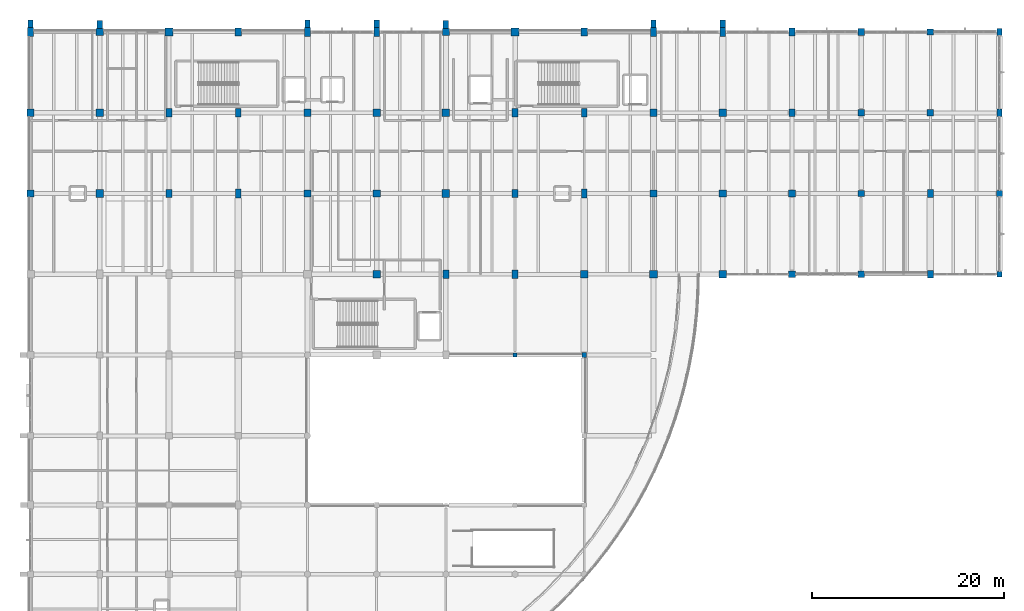
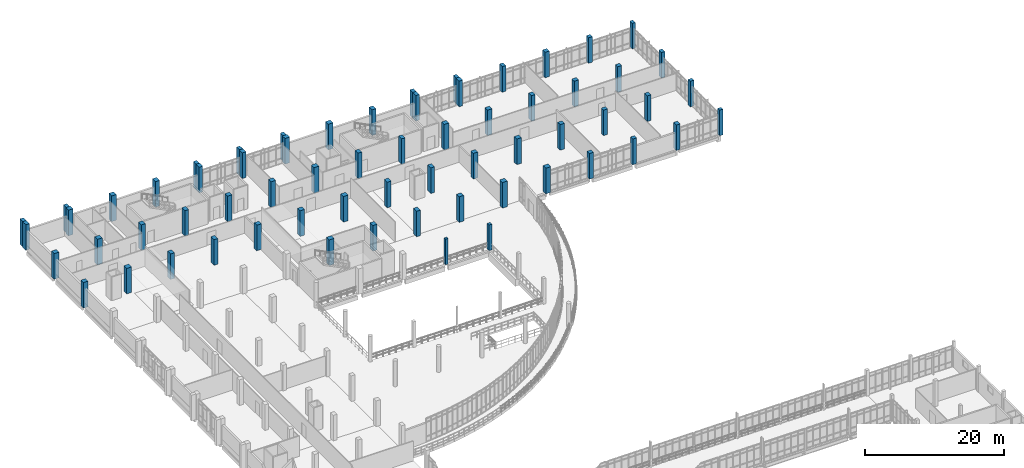
# One storey, part 8 of 116: 64 columns.
"""IFC4 building model written with IfcOpenShell, lengths in metres."""

from ifc_helpers import new_model, si_unit, direction, frame, origin, origin_2d, place, context, subcontext, project, spatial, rectangle, extrude, material, material_profile, profile_set, type_object, element, save


model = new_model("IFC4")

# Units and contexts
model_context = context("Model", 3, precision=1e-05, world=origin(), true_north=direction((0.0, 1.0)))
body_context = subcontext(model_context, "Body", "Model", "MODEL_VIEW")
ifc_project = project(units=[si_unit("LENGTHUNIT", "METRE"), si_unit("AREAUNIT", "SQUARE_METRE"), si_unit("VOLUMEUNIT", "CUBIC_METRE"), si_unit("PLANEANGLEUNIT", "RADIAN"), si_unit("MASSUNIT", "GRAM", prefix="KILO")], contexts=[model_context])

# Site, building, storey
site_placement = place(None, origin())
site = spatial("IfcSite", under=ifc_project, at=site_placement, CompositionType="ELEMENT")
building_placement = place(site_placement, origin())
building = spatial("IfcBuilding", under=site, at=building_placement, Name="Kalluvel Institute of Natural Sciences", CompositionType="ELEMENT")
storey_placement = place(building_placement, frame((0.0, 0.0, 14.39990234375)))
storey = spatial("IfcBuildingStorey", under=building, at=storey_placement, Name="L03", CompositionType="ELEMENT", Elevation=14.39990234375)

# Columns
ifc_material_1 = material(Name="Concrete M40", Category="concrete")
ifc_material_profile_1 = material_profile(ifc_material_1, rectangle(XDim=0.39990234375, YDim=0.39990234375, at=origin_2d()), Name="RC 400x400")
ifc_profile_set_1 = profile_set([ifc_material_profile_1], Name="Concrete M40")
column_type_1 = type_object("IfcColumnType", Name="COL-RC400", PredefinedType="COLUMN", material=ifc_profile_set_1)
column_1_placement = place(storey_placement, frame((64.39990234375, 94.39990234375, 0.0), z_axis=(0.0, 0.0, 1.0), x_axis=(1.0, 0.0, 0.0)))
element("IfcColumn", 1, at=column_1_placement, inside=storey, type_object=column_type_1, Name="L03 structural column COL-L03-X644-Y944", PredefinedType="COLUMN", context=body_context, shape_type="SweptSolid", body=[
    extrude(rectangle(XDim=0.39990234375, YDim=0.39990234375, at=origin_2d()), origin(), (0.0, 0.0, 1.0), 4.5),
])
ifc_material_profile_2 = material_profile(ifc_material_1, rectangle(XDim=0.5, YDim=0.5, at=origin_2d()), Name="RC 500x500")
ifc_profile_set_2 = profile_set([ifc_material_profile_2], Name="Concrete M40")
column_type_2 = type_object("IfcColumnType", Name="COL-RC500", PredefinedType="COLUMN", material=ifc_profile_set_2)
column_2_placement = place(storey_placement, frame((71.60009765625, 94.39990234375, 0.0), z_axis=(0.0, 0.0, 1.0), x_axis=(1.0, 0.0, 0.0)))
element("IfcColumn", 2, at=column_2_placement, inside=storey, type_object=column_type_2, Name="L03 structural column COL-L03-X716-Y944", PredefinedType="COLUMN", context=body_context, shape_type="SweptSolid", body=[
    extrude(rectangle(XDim=0.5, YDim=0.5, at=origin_2d()), origin(), (0.0, 0.0, 1.0), 4.5),
])
ifc_material_profile_3 = material_profile(ifc_material_1, rectangle(XDim=0.5, YDim=0.699951171875, at=origin_2d()), Name="RC 500x700")
ifc_profile_set_3 = profile_set([ifc_material_profile_3], Name="Concrete M40")
column_type_3 = type_object("IfcColumnType", Name="COL-RC500x700", PredefinedType="COLUMN", material=ifc_profile_set_3)
column_3_placement = place(storey_placement, frame((114.800048828125, 128.0, 0.0), z_axis=(0.0, 0.0, 1.0), x_axis=(1.0, 0.0, 0.0)))
element("IfcColumn", 3, at=column_3_placement, inside=storey, type_object=column_type_3, Name="L03 structural column COL-L03-X1148-Y1280", PredefinedType="COLUMN", context=body_context, shape_type="SweptSolid", body=[
    extrude(rectangle(XDim=0.5, YDim=0.699951171875, at=origin_2d()), origin(), (0.0, 0.0, 1.0), 4.5),
])
ifc_material_profile_4 = material_profile(ifc_material_1, rectangle(XDim=0.550048828125, YDim=0.550048828125, at=origin_2d()), Name="RC 550x550")
ifc_profile_set_4 = profile_set([ifc_material_profile_4], Name="Concrete M40")
column_type_4 = type_object("IfcColumnType", Name="COL-RC550", PredefinedType="COLUMN", material=ifc_profile_set_4)
column_4_placement = place(storey_placement, frame((114.800048828125, 102.800048828125, 0.0), z_axis=(0.0, 0.0, 1.0), x_axis=(1.0, 0.0, 0.0)))
element("IfcColumn", 4, at=column_4_placement, inside=storey, type_object=column_type_4, Name="L03 structural column COL-L03-X1148-Y1028", PredefinedType="COLUMN", context=body_context, shape_type="SweptSolid", body=[
    extrude(rectangle(XDim=0.550048828125, YDim=0.550048828125, at=origin_2d()), origin(), (0.0, 0.0, 1.0), 4.5),
])
ifc_material_profile_5 = material_profile(ifc_material_1, rectangle(XDim=0.550048828125, YDim=0.75, at=origin_2d()), Name="RC 550x750")
ifc_profile_set_5 = profile_set([ifc_material_profile_5], Name="Concrete M40")
column_type_5 = type_object("IfcColumnType", Name="COL-RC550x750", PredefinedType="COLUMN", material=ifc_profile_set_5)
column_5_placement = place(storey_placement, frame((114.800048828125, 119.60009765625, 0.0), z_axis=(0.0, 0.0, 1.0), x_axis=(1.0, 0.0, 0.0)))
element("IfcColumn", 5, at=column_5_placement, inside=storey, type_object=column_type_5, Name="L03 structural column COL-L03-X1148-Y1196", PredefinedType="COLUMN", context=body_context, shape_type="SweptSolid", body=[
    extrude(rectangle(XDim=0.550048828125, YDim=0.75, at=origin_2d()), origin(), (0.0, 0.0, 1.0), 4.5),
])
ifc_material_profile_6 = material_profile(ifc_material_1, rectangle(XDim=0.60009765625, YDim=0.60009765625, at=origin_2d()), Name="RC 600x600")
ifc_profile_set_6 = profile_set([ifc_material_profile_6], Name="Concrete M40")
column_type_6 = type_object("IfcColumnType", Name="COL-RC600", PredefinedType="COLUMN", material=ifc_profile_set_6)
column_6_placement = place(storey_placement, frame((114.800048828125, 111.199951171875, 0.0), z_axis=(0.0, 0.0, 1.0), x_axis=(1.0, 0.0, 0.0)))
element("IfcColumn", 6, at=column_6_placement, inside=storey, type_object=column_type_6, Name="L03 structural column COL-L03-X1148-Y1112", PredefinedType="COLUMN", context=body_context, shape_type="SweptSolid", body=[
    extrude(rectangle(XDim=0.60009765625, YDim=0.60009765625, at=origin_2d()), origin(), (0.0, 0.0, 1.0), 4.5),
])
ifc_material_2 = material(Name="Concrete M50", Category="concrete")
ifc_material_profile_7 = material_profile(ifc_material_2, rectangle(XDim=0.60009765625, YDim=0.800048828125, at=origin_2d()), Name="RC 600x800")
ifc_profile_set_7 = profile_set([ifc_material_profile_7], Name="Concrete M50")
column_type_7 = type_object("IfcColumnType", Name="COL-RC600x800", PredefinedType="COLUMN", material=ifc_profile_set_7)
for number, where, z_axis, x_axis, name in (
    (7, (93.199951171875, 119.60009765625, 0.0), (0.0, 0.0, 1.0), (1.0, 0.0, 0.0), "L03 structural column COL-L03-X932-Y1196"),
    (8, (93.199951171875, 128.0, 0.0), (0.0, 0.0, 1.0), (1.0, 0.0, 0.0), "L03 structural column COL-L03-X932-Y1280"),
    (9, (107.60009765625, 102.800048828125, 0.0), (0.0, 0.0, 1.0), (1.0, 0.0, 0.0), "L03 structural column COL-L03-X1076-Y1028"),
    (10, (107.60009765625, 111.199951171875, 0.0), (0.0, 0.0, 1.0), (1.0, 0.0, 0.0), "L03 structural column COL-L03-X1076-Y1112"),
):
    element("IfcColumn", number, at=place(storey_placement, frame(where, z_axis=z_axis, x_axis=x_axis)), inside=storey, type_object=column_type_7, Name=name, PredefinedType="COLUMN", context=body_context, shape_type="SweptSolid", body=[
        extrude(rectangle(XDim=0.60009765625, YDim=0.800048828125, at=origin_2d()), origin(), (0.0, 0.0, 1.0), 4.5),
    ])
ifc_material_profile_8 = material_profile(ifc_material_2, rectangle(XDim=0.60009765625, YDim=0.89990234375, at=origin_2d()), Name="RC 600x900")
ifc_profile_set_8 = profile_set([ifc_material_profile_8], Name="Concrete M50")
column_type_8 = type_object("IfcColumnType", Name="COL-RC600x900", PredefinedType="COLUMN", material=ifc_profile_set_8)
for number, where, z_axis, x_axis, name in (
    (11, (14.0, 128.0, 0.0), (0.0, 0.0, 1.0), (1.0, 0.0, 0.0), "L03 structural column COL-L03-X140-Y1280"),
    (12, (35.60009765625, 111.199951171875, 0.0), (0.0, 0.0, 1.0), (1.0, 0.0, 0.0), "L03 structural column COL-L03-X356-Y1112"),
    (13, (35.60009765625, 119.60009765625, 0.0), (0.0, 0.0, 1.0), (1.0, 0.0, 0.0), "L03 structural column COL-L03-X356-Y1196"),
    (14, (42.800048828125, 128.0, 0.0), (0.0, 0.0, 1.0), (1.0, 0.0, 0.0), "L03 structural column COL-L03-X428-Y1280"),
    (15, (50.0, 128.0, 0.0), (0.0, 0.0, 1.0), (1.0, 0.0, 0.0), "L03 structural column COL-L03-X500-Y1280"),
    (16, (64.39990234375, 102.800048828125, 0.0), (0.0, 0.0, 1.0), (1.0, 0.0, 0.0), "L03 structural column COL-L03-X644-Y1028"),
    (17, (71.60009765625, 111.199951171875, 0.0), (0.0, 0.0, 1.0), (1.0, 0.0, 0.0), "L03 structural column COL-L03-X716-Y1112"),
    (18, (71.60009765625, 119.60009765625, 0.0), (0.0, 0.0, 1.0), (1.0, 0.0, 0.0), "L03 structural column COL-L03-X716-Y1196"),
    (19, (78.800048828125, 128.0, 0.0), (0.0, 0.0, 1.0), (1.0, 0.0, 0.0), "L03 structural column COL-L03-X788-Y1280"),
    (20, (86.0, 128.0, 0.0), (0.0, 0.0, 1.0), (1.0, 0.0, 0.0), "L03 structural column COL-L03-X860-Y1280"),
):
    element("IfcColumn", number, at=place(storey_placement, frame(where, z_axis=z_axis, x_axis=x_axis)), inside=storey, type_object=column_type_8, Name=name, PredefinedType="COLUMN", context=body_context, shape_type="SweptSolid", body=[
        extrude(rectangle(XDim=0.60009765625, YDim=0.89990234375, at=origin_2d()), origin(), (0.0, 0.0, 1.0), 4.5),
    ])
ifc_material_profile_9 = material_profile(ifc_material_1, rectangle(XDim=0.64990234375, YDim=0.64990234375, at=origin_2d()), Name="RC 650x650")
ifc_profile_set_9 = profile_set([ifc_material_profile_9], Name="Concrete M40")
column_type_9 = type_object("IfcColumnType", Name="COL-RC650", PredefinedType="COLUMN", material=ifc_profile_set_9)
for number, where, z_axis, x_axis, name in (
    (21, (100.39990234375, 102.800048828125, 0.0), (0.0, 0.0, 1.0), (1.0, 0.0, 0.0), "L03 structural column COL-L03-X1004-Y1028"),
    (22, (100.39990234375, 111.199951171875, 0.0), (0.0, 0.0, 1.0), (1.0, 0.0, 0.0), "L03 structural column COL-L03-X1004-Y1112"),
    (23, (107.60009765625, 119.60009765625, 0.0), (0.0, 0.0, 1.0), (1.0, 0.0, 0.0), "L03 structural column COL-L03-X1076-Y1196"),
    (24, (107.60009765625, 128.0, 0.0), (0.0, 0.0, 1.0), (1.0, 0.0, 0.0), "L03 structural column COL-L03-X1076-Y1280"),
):
    element("IfcColumn", number, at=place(storey_placement, frame(where, z_axis=z_axis, x_axis=x_axis)), inside=storey, type_object=column_type_9, Name=name, PredefinedType="COLUMN", context=body_context, shape_type="SweptSolid", body=[
        extrude(rectangle(XDim=0.64990234375, YDim=0.64990234375, at=origin_2d()), origin(), (0.0, 0.0, 1.0), 4.5),
    ])
ifc_material_profile_10 = material_profile(ifc_material_2, rectangle(XDim=0.64990234375, YDim=0.85009765625, at=origin_2d()), Name="RC 650x850")
ifc_profile_set_10 = profile_set([ifc_material_profile_10], Name="Concrete M50")
column_type_10 = type_object("IfcColumnType", Name="COL-RC650x850", PredefinedType="COLUMN", material=ifc_profile_set_10)
for number, where, z_axis, x_axis, name in (
    (25, (28.39990234375, 111.199951171875, 0.0), (0.0, 0.0, 1.0), (1.0, 0.0, 0.0), "L03 structural column COL-L03-X284-Y1112"),
    (26, (28.39990234375, 119.60009765625, 0.0), (0.0, 0.0, 1.0), (1.0, 0.0, 0.0), "L03 structural column COL-L03-X284-Y1196"),
    (27, (35.60009765625, 128.0, 0.0), (0.0, 0.0, 1.0), (1.0, 0.0, 0.0), "L03 structural column COL-L03-X356-Y1280"),
    (28, (57.199951171875, 102.800048828125, 0.0), (0.0, 0.0, 1.0), (1.0, 0.0, 0.0), "L03 structural column COL-L03-X572-Y1028"),
    (29, (64.39990234375, 111.199951171875, 0.0), (0.0, 0.0, 1.0), (1.0, 0.0, 0.0), "L03 structural column COL-L03-X644-Y1112"),
    (30, (64.39990234375, 119.60009765625, 0.0), (0.0, 0.0, 1.0), (1.0, 0.0, 0.0), "L03 structural column COL-L03-X644-Y1196"),
    (31, (71.60009765625, 128.0, 0.0), (0.0, 0.0, 1.0), (1.0, 0.0, 0.0), "L03 structural column COL-L03-X716-Y1280"),
):
    element("IfcColumn", number, at=place(storey_placement, frame(where, z_axis=z_axis, x_axis=x_axis)), inside=storey, type_object=column_type_10, Name=name, PredefinedType="COLUMN", context=body_context, shape_type="SweptSolid", body=[
        extrude(rectangle(XDim=0.64990234375, YDim=0.85009765625, at=origin_2d()), origin(), (0.0, 0.0, 1.0), 4.5),
    ])
ifc_material_profile_11 = material_profile(ifc_material_1, rectangle(XDim=0.699951171875, YDim=0.699951171875, at=origin_2d()), Name="RC 700x700")
ifc_profile_set_11 = profile_set([ifc_material_profile_11], Name="Concrete M40")
column_type_11 = type_object("IfcColumnType", Name="COL-RC700", PredefinedType="COLUMN", material=ifc_profile_set_11)
for number, where, z_axis, x_axis, name in (
    (32, (93.199951171875, 102.800048828125, 0.0), (0.0, 0.0, 1.0), (1.0, 0.0, 0.0), "L03 structural column COL-L03-X932-Y1028"),
    (33, (93.199951171875, 111.199951171875, 0.0), (0.0, 0.0, 1.0), (1.0, 0.0, 0.0), "L03 structural column COL-L03-X932-Y1112"),
    (34, (100.39990234375, 119.60009765625, 0.0), (0.0, 0.0, 1.0), (1.0, 0.0, 0.0), "L03 structural column COL-L03-X1004-Y1196"),
    (35, (100.39990234375, 128.0, 0.0), (0.0, 0.0, 1.0), (1.0, 0.0, 0.0), "L03 structural column COL-L03-X1004-Y1280"),
):
    element("IfcColumn", number, at=place(storey_placement, frame(where, z_axis=z_axis, x_axis=x_axis)), inside=storey, type_object=column_type_11, Name=name, PredefinedType="COLUMN", context=body_context, shape_type="SweptSolid", body=[
        extrude(rectangle(XDim=0.699951171875, YDim=0.699951171875, at=origin_2d()), origin(), (0.0, 0.0, 1.0), 4.5),
    ])
ifc_material_profile_12 = material_profile(ifc_material_2, rectangle(XDim=0.75, YDim=0.75, at=origin_2d()), Name="RC 750x750")
ifc_profile_set_12 = profile_set([ifc_material_profile_12], Name="Concrete M50")
column_type_12 = type_object("IfcColumnType", Name="COL-RC750", PredefinedType="COLUMN", material=ifc_profile_set_12)
for number, where, z_axis, x_axis, name in (
    (36, (14.0, 111.199951171875, 0.0), (0.0, 0.0, 1.0), (1.0, 0.0, 0.0), "L03 structural column COL-L03-X140-Y1112"),
    (37, (14.0, 119.60009765625, 0.0), (0.0, 0.0, 1.0), (1.0, 0.0, 0.0), "L03 structural column COL-L03-X140-Y1196"),
    (38, (21.199951171875, 128.0, 0.0), (0.0, 0.0, 1.0), (1.0, 0.0, 0.0), "L03 structural column COL-L03-X212-Y1280"),
    (39, (42.800048828125, 111.199951171875, 0.0), (0.0, 0.0, 1.0), (1.0, 0.0, 0.0), "L03 structural column COL-L03-X428-Y1112"),
    (40, (42.800048828125, 119.60009765625, 0.0), (0.0, 0.0, 1.0), (1.0, 0.0, 0.0), "L03 structural column COL-L03-X428-Y1196"),
    (41, (50.0, 111.199951171875, 0.0), (0.0, 0.0, 1.0), (1.0, 0.0, 0.0), "L03 structural column COL-L03-X500-Y1112"),
    (42, (50.0, 119.60009765625, 0.0), (0.0, 0.0, 1.0), (1.0, 0.0, 0.0), "L03 structural column COL-L03-X500-Y1196"),
    (43, (57.199951171875, 128.0, 0.0), (0.0, 0.0, 1.0), (1.0, 0.0, 0.0), "L03 structural column COL-L03-X572-Y1280"),
    (44, (71.60009765625, 102.800048828125, 0.0), (0.0, 0.0, 1.0), (1.0, 0.0, 0.0), "L03 structural column COL-L03-X716-Y1028"),
    (45, (78.800048828125, 111.199951171875, 0.0), (0.0, 0.0, 1.0), (1.0, 0.0, 0.0), "L03 structural column COL-L03-X788-Y1112"),
    (46, (78.800048828125, 119.60009765625, 0.0), (0.0, 0.0, 1.0), (1.0, 0.0, 0.0), "L03 structural column COL-L03-X788-Y1196"),
    (47, (86.0, 111.199951171875, 0.0), (0.0, 0.0, 1.0), (1.0, 0.0, 0.0), "L03 structural column COL-L03-X860-Y1112"),
    (48, (86.0, 119.60009765625, 0.0), (0.0, 0.0, 1.0), (1.0, 0.0, 0.0), "L03 structural column COL-L03-X860-Y1196"),
):
    element("IfcColumn", number, at=place(storey_placement, frame(where, z_axis=z_axis, x_axis=x_axis)), inside=storey, type_object=column_type_12, Name=name, PredefinedType="COLUMN", context=body_context, shape_type="SweptSolid", body=[
        extrude(rectangle(XDim=0.75, YDim=0.75, at=origin_2d()), origin(), (0.0, 0.0, 1.0), 4.5),
    ])
ifc_material_profile_13 = material_profile(ifc_material_2, rectangle(XDim=0.800048828125, YDim=0.800048828125, at=origin_2d()), Name="RC 800x800")
ifc_profile_set_13 = profile_set([ifc_material_profile_13], Name="Concrete M50")
column_type_13 = type_object("IfcColumnType", Name="COL-RC800", PredefinedType="COLUMN", material=ifc_profile_set_13)
for number, where, z_axis, x_axis, name in (
    (49, (21.199951171875, 111.199951171875, 0.0), (0.0, 0.0, 1.0), (1.0, 0.0, 0.0), "L03 structural column COL-L03-X212-Y1112"),
    (50, (21.199951171875, 119.60009765625, 0.0), (0.0, 0.0, 1.0), (1.0, 0.0, 0.0), "L03 structural column COL-L03-X212-Y1196"),
    (51, (28.39990234375, 128.0, 0.0), (0.0, 0.0, 1.0), (1.0, 0.0, 0.0), "L03 structural column COL-L03-X284-Y1280"),
    (52, (50.0, 102.800048828125, 0.0), (0.0, 0.0, 1.0), (1.0, 0.0, 0.0), "L03 structural column COL-L03-X500-Y1028"),
    (53, (57.199951171875, 111.199951171875, 0.0), (0.0, 0.0, 1.0), (1.0, 0.0, 0.0), "L03 structural column COL-L03-X572-Y1112"),
    (54, (57.199951171875, 119.60009765625, 0.0), (0.0, 0.0, 1.0), (1.0, 0.0, 0.0), "L03 structural column COL-L03-X572-Y1196"),
    (55, (64.39990234375, 128.0, 0.0), (0.0, 0.0, 1.0), (1.0, 0.0, 0.0), "L03 structural column COL-L03-X644-Y1280"),
    (56, (78.800048828125, 102.800048828125, 0.0), (0.0, 0.0, 1.0), (1.0, 0.0, 0.0), "L03 structural column COL-L03-X788-Y1028"),
    (57, (86.0, 102.800048828125, 0.0), (0.0, 0.0, 1.0), (1.0, 0.0, 0.0), "L03 structural column COL-L03-X860-Y1028"),
):
    element("IfcColumn", number, at=place(storey_placement, frame(where, z_axis=z_axis, x_axis=x_axis)), inside=storey, type_object=column_type_13, Name=name, PredefinedType="COLUMN", context=body_context, shape_type="SweptSolid", body=[
        extrude(rectangle(XDim=0.800048828125, YDim=0.800048828125, at=origin_2d()), origin(), (0.0, 0.0, 1.0), 4.5),
    ])
ifc_material_3 = material(Name="Sadarahalli Granite Precast Concrete M45", Category="masonry")
ifc_material_profile_14 = material_profile(ifc_material_3, rectangle(XDim=0.550048828125, YDim=0.800048828125, at=origin_2d()), Name="PIL 550x800")
ifc_profile_set_14 = profile_set([ifc_material_profile_14], Name="Sadarahalli Granite Precast Concrete M45")
column_type_14 = type_object("IfcColumnType", Name="PIL-550x800", PredefinedType="PILASTER", material=ifc_profile_set_14)
for number, where, z_axis, x_axis, name in (
    (58, (14.0, 128.85302734375, 0.0), (0.0, 0.0, 1.0), (1.0, 0.0, 0.0), "L03 Gothic stepped Sadarahalli granite buttress 5"),
    (59, (21.199951171875, 128.778076171875, 0.0), (0.0, 0.0, 1.0), (1.0, 0.0, 0.0), "L03 Gothic stepped Sadarahalli granite buttress 15"),
    (60, (42.800048828125, 128.85302734375, 0.0), (0.0, 0.0, 1.0), (1.0, 0.0, 0.0), "L03 Gothic stepped Sadarahalli granite buttress 25"),
    (61, (50.0, 128.85302734375, 0.0), (0.0, 0.0, 1.0), (1.0, 0.0, 0.0), "L03 Gothic stepped Sadarahalli granite buttress 35"),
    (62, (57.199951171875, 128.778076171875, 0.0), (0.0, 0.0, 1.0), (1.0, 0.0, 0.0), "L03 Gothic stepped Sadarahalli granite buttress 45"),
    (63, (78.800048828125, 128.85302734375, 0.0), (0.0, 0.0, 1.0), (1.0, 0.0, 0.0), "L03 Gothic stepped Sadarahalli granite buttress 55"),
    (64, (86.0, 128.85302734375, 0.0), (0.0, 0.0, 1.0), (1.0, 0.0, 0.0), "L03 Gothic stepped Sadarahalli granite buttress 65"),
):
    element("IfcColumn", number, at=place(storey_placement, frame(where, z_axis=z_axis, x_axis=x_axis)), inside=storey, type_object=column_type_14, Name=name, PredefinedType="PILASTER", context=body_context, shape_type="SweptSolid", body=[
        extrude(rectangle(XDim=0.550048828125, YDim=0.800048828125, at=origin_2d()), origin(), (0.0, 0.0, 1.0), 4.5),
    ])

save(model, "model.ifc")
